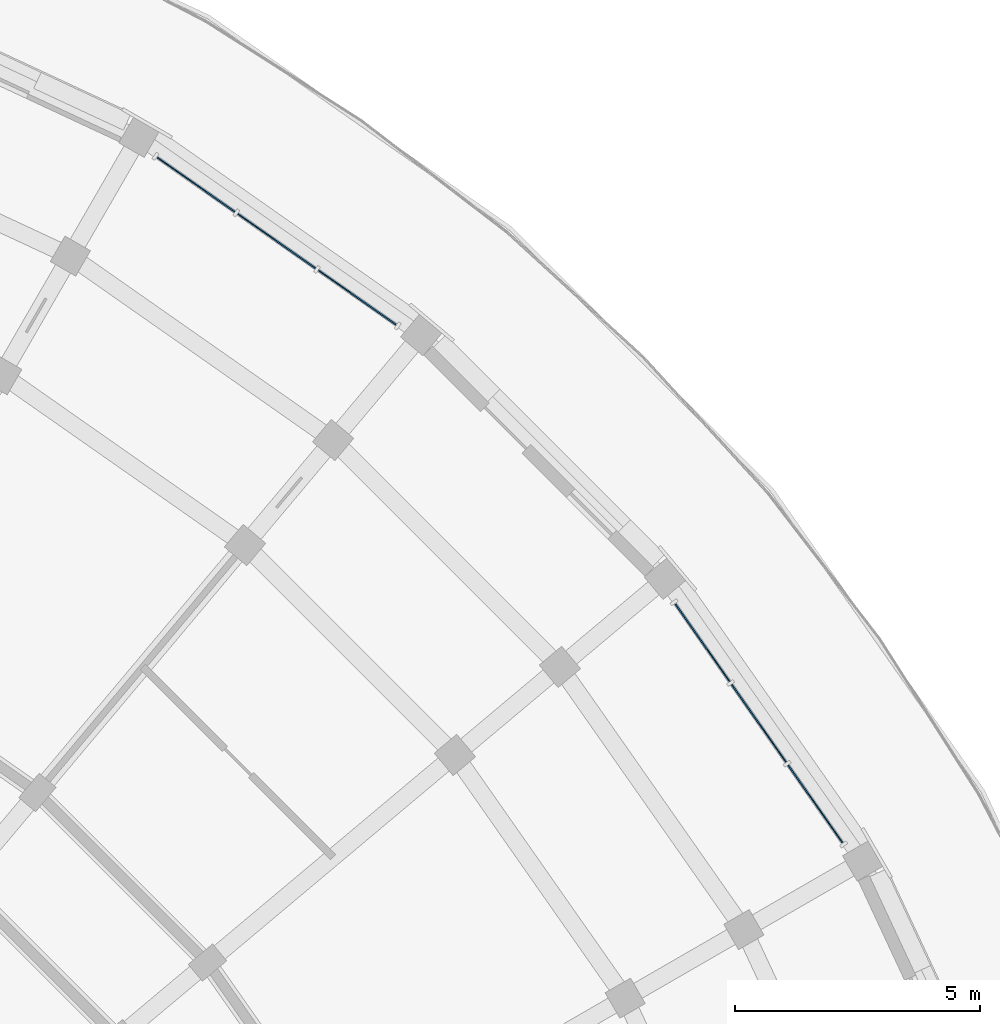
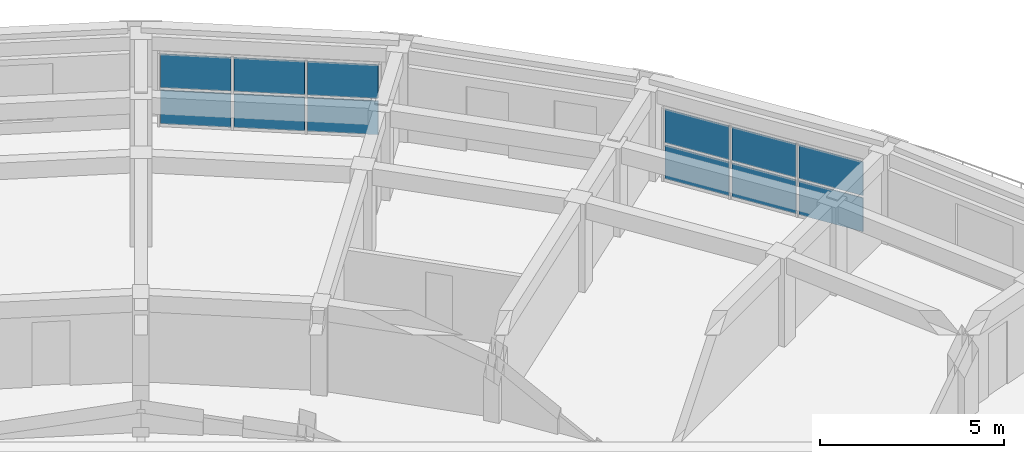
# One storey, part 12 of 41: 12 plates, 2 elements without a shape of their own.
"""IFC4 building model written with IfcOpenShell, lengths in metres."""

from ifc_helpers import new_model, si_unit, direction, frame, origin, origin_2d, place, context, subcontext, project, spatial, rectangle, extrude, material, layer, layer_set, type_object, element, aggregate, save


model = new_model("IFC4")

# Units and contexts
model_context = context("Model", 3, precision=1e-05, world=origin(), true_north=direction((0.0, 1.0)))
body_context = subcontext(model_context, "Body", "Model", "MODEL_VIEW")
ifc_project = project(units=[si_unit("LENGTHUNIT", "METRE"), si_unit("AREAUNIT", "SQUARE_METRE"), si_unit("VOLUMEUNIT", "CUBIC_METRE"), si_unit("PLANEANGLEUNIT", "RADIAN"), si_unit("MASSUNIT", "GRAM", prefix="KILO")], contexts=[model_context])

# Site, building, storey
site_placement = place(None, origin())
site = spatial("IfcSite", under=ifc_project, at=site_placement, CompositionType="ELEMENT")
building_placement = place(site_placement, origin())
building = spatial("IfcBuilding", under=site, at=building_placement, Name="Kiranvali Square Residences", CompositionType="ELEMENT")
storey_placement = place(building_placement, frame((0.0, 0.0, 33.89990234375)))
storey = spatial("IfcBuildingStorey", under=building, at=storey_placement, Name="L10", CompositionType="ELEMENT", Elevation=33.89990234375)

# Curtain wall, plates
ifc_material_1 = material(Name="Anodised bronze aluminium framing", Category="aluminium")
curtain_wall_type = type_object("IfcCurtainWallType", Name="CW-RES-LOG", PredefinedType="USERDEFINED", material=ifc_material_1)
curtain_wall_1_placement = place(storey_placement, origin())
curtain_wall_1 = element("IfcCurtainWall", 1, at=curtain_wall_1_placement, inside=storey, type_object=curtain_wall_type, Name="Block B L10 stepped curved terrace loggia 4", ObjectType="CURTAIN WALL", PredefinedType="USERDEFINED")
ifc_material_2 = material(Name="Solar-control low-e double glazing", Category="glass")
ifc_layer = layer(ifc_material_2, 0.028076171875)
ifc_layer_set = layer_set([ifc_layer], Name="Solar-control low-e double glazing")
plate_type = type_object("IfcPlateType", Name="PLT-CW-GLZ", PredefinedType="CURTAIN_PANEL", material=ifc_layer_set)
plate_1_placement = place(storey_placement, frame((141.171142578125, 121.82080078125, 0.080078125), z_axis=(0.0, 0.0, 1.0), x_axis=(0.819152044289, -0.573576436351, 0.0)))
plate_1 = element("IfcPlate", 2, at=plate_1_placement, type_object=plate_type, Name="CW-B-L10-TER-03 glazed panel 1.1", PredefinedType="CURTAIN_PANEL", context=body_context, shape_type="SweptSolid", body=[
    extrude(rectangle(XDim=1.927490234375, YDim=0.028076171875, at=origin_2d()), origin(), (0.0, 0.0, 1.0), 1.1201171875),
])
plate_2_placement = place(storey_placement, frame((141.171142578125, 121.82080078125, 1.280029296875), z_axis=(0.0, 0.0, 1.0), x_axis=(0.819152044289, -0.573576436351, 0.0)))
plate_2 = element("IfcPlate", 3, at=plate_2_placement, type_object=plate_type, Name="CW-B-L10-TER-03 glazed panel 1.2", PredefinedType="CURTAIN_PANEL", context=body_context, shape_type="SweptSolid", body=[
    extrude(rectangle(XDim=1.927490234375, YDim=0.028076171875, at=origin_2d()), origin(), (0.0, 0.0, 1.0), 1.1201171875),
])
plate_3_placement = place(storey_placement, frame((142.8154296875, 120.66943359375, 0.080078125), z_axis=(0.0, 0.0, 1.0), x_axis=(0.819152044289, -0.573576436351, 0.0)))
plate_3 = element("IfcPlate", 4, at=plate_3_placement, type_object=plate_type, Name="CW-B-L10-TER-03 glazed panel 2.1", PredefinedType="CURTAIN_PANEL", context=body_context, shape_type="SweptSolid", body=[
    extrude(rectangle(XDim=1.927490234375, YDim=0.028076171875, at=origin_2d()), origin(), (0.0, 0.0, 1.0), 1.1201171875),
])
plate_4_placement = place(storey_placement, frame((142.8154296875, 120.66943359375, 1.280029296875), z_axis=(0.0, 0.0, 1.0), x_axis=(0.819152044289, -0.573576436351, 0.0)))
plate_4 = element("IfcPlate", 5, at=plate_4_placement, type_object=plate_type, Name="CW-B-L10-TER-03 glazed panel 2.2", PredefinedType="CURTAIN_PANEL", context=body_context, shape_type="SweptSolid", body=[
    extrude(rectangle(XDim=1.927490234375, YDim=0.028076171875, at=origin_2d()), origin(), (0.0, 0.0, 1.0), 1.1201171875),
])
plate_5_placement = place(storey_placement, frame((144.4599609375, 119.51806640625, 0.080078125), z_axis=(0.0, 0.0, 1.0), x_axis=(0.819152044289, -0.573576436351, 0.0)))
plate_5 = element("IfcPlate", 6, at=plate_5_placement, type_object=plate_type, Name="CW-B-L10-TER-03 glazed panel 3.1", PredefinedType="CURTAIN_PANEL", context=body_context, shape_type="SweptSolid", body=[
    extrude(rectangle(XDim=1.927490234375, YDim=0.028076171875, at=origin_2d()), origin(), (0.0, 0.0, 1.0), 1.1201171875),
])
plate_6_placement = place(storey_placement, frame((144.4599609375, 119.51806640625, 1.280029296875), z_axis=(0.0, 0.0, 1.0), x_axis=(0.819152044289, -0.573576436351, 0.0)))
plate_6 = element("IfcPlate", 7, at=plate_6_placement, type_object=plate_type, Name="CW-B-L10-TER-03 glazed panel 3.2", PredefinedType="CURTAIN_PANEL", context=body_context, shape_type="SweptSolid", body=[
    extrude(rectangle(XDim=1.927490234375, YDim=0.028076171875, at=origin_2d()), origin(), (0.0, 0.0, 1.0), 1.1201171875),
])
aggregate(curtain_wall_1, [plate_1, plate_2, plate_3, plate_4, plate_5, plate_6])

curtain_wall_2_placement = place(storey_placement, origin())
curtain_wall_2 = element("IfcCurtainWall", 8, at=curtain_wall_2_placement, inside=storey, type_object=curtain_wall_type, Name="Block B L10 stepped curved terrace loggia 6", ObjectType="CURTAIN WALL", PredefinedType="USERDEFINED")
plate_7_placement = place(storey_placement, frame((151.51806640625, 112.4599609375, 0.080078125), z_axis=(0.0, 0.0, 1.0), x_axis=(0.573576436351, -0.819152044289, 0.0)))
plate_7 = element("IfcPlate", 9, at=plate_7_placement, type_object=plate_type, Name="CW-B-L10-TER-05 glazed panel 1.1", PredefinedType="CURTAIN_PANEL", context=body_context, shape_type="SweptSolid", body=[
    extrude(rectangle(XDim=1.927490234375, YDim=0.028076171875, at=origin_2d()), origin(), (0.0, 0.0, 1.0), 1.1201171875),
])
plate_8_placement = place(storey_placement, frame((151.51806640625, 112.4599609375, 1.280029296875), z_axis=(0.0, 0.0, 1.0), x_axis=(0.573576436351, -0.819152044289, 0.0)))
plate_8 = element("IfcPlate", 10, at=plate_8_placement, type_object=plate_type, Name="CW-B-L10-TER-05 glazed panel 1.2", PredefinedType="CURTAIN_PANEL", context=body_context, shape_type="SweptSolid", body=[
    extrude(rectangle(XDim=1.927490234375, YDim=0.028076171875, at=origin_2d()), origin(), (0.0, 0.0, 1.0), 1.1201171875),
])
plate_9_placement = place(storey_placement, frame((152.66943359375, 110.8154296875, 0.080078125), z_axis=(0.0, 0.0, 1.0), x_axis=(0.573576436351, -0.819152044289, 0.0)))
plate_9 = element("IfcPlate", 11, at=plate_9_placement, type_object=plate_type, Name="CW-B-L10-TER-05 glazed panel 2.1", PredefinedType="CURTAIN_PANEL", context=body_context, shape_type="SweptSolid", body=[
    extrude(rectangle(XDim=1.927490234375, YDim=0.028076171875, at=origin_2d()), origin(), (0.0, 0.0, 1.0), 1.1201171875),
])
plate_10_placement = place(storey_placement, frame((152.66943359375, 110.8154296875, 1.280029296875), z_axis=(0.0, 0.0, 1.0), x_axis=(0.573576436351, -0.819152044289, 0.0)))
plate_10 = element("IfcPlate", 12, at=plate_10_placement, type_object=plate_type, Name="CW-B-L10-TER-05 glazed panel 2.2", PredefinedType="CURTAIN_PANEL", context=body_context, shape_type="SweptSolid", body=[
    extrude(rectangle(XDim=1.927490234375, YDim=0.028076171875, at=origin_2d()), origin(), (0.0, 0.0, 1.0), 1.1201171875),
])
plate_11_placement = place(storey_placement, frame((153.82080078125, 109.171142578125, 0.080078125), z_axis=(0.0, 0.0, 1.0), x_axis=(0.573576436351, -0.819152044289, 0.0)))
plate_11 = element("IfcPlate", 13, at=plate_11_placement, type_object=plate_type, Name="CW-B-L10-TER-05 glazed panel 3.1", PredefinedType="CURTAIN_PANEL", context=body_context, shape_type="SweptSolid", body=[
    extrude(rectangle(XDim=1.927490234375, YDim=0.028076171875, at=origin_2d()), origin(), (0.0, 0.0, 1.0), 1.1201171875),
])
plate_12_placement = place(storey_placement, frame((153.82080078125, 109.171142578125, 1.280029296875), z_axis=(0.0, 0.0, 1.0), x_axis=(0.573576436351, -0.819152044289, 0.0)))
plate_12 = element("IfcPlate", 14, at=plate_12_placement, type_object=plate_type, Name="CW-B-L10-TER-05 glazed panel 3.2", PredefinedType="CURTAIN_PANEL", context=body_context, shape_type="SweptSolid", body=[
    extrude(rectangle(XDim=1.927490234375, YDim=0.028076171875, at=origin_2d()), origin(), (0.0, 0.0, 1.0), 1.1201171875),
])
aggregate(curtain_wall_2, [plate_7, plate_8, plate_9, plate_10, plate_11, plate_12])

save(model, "model.ifc")
